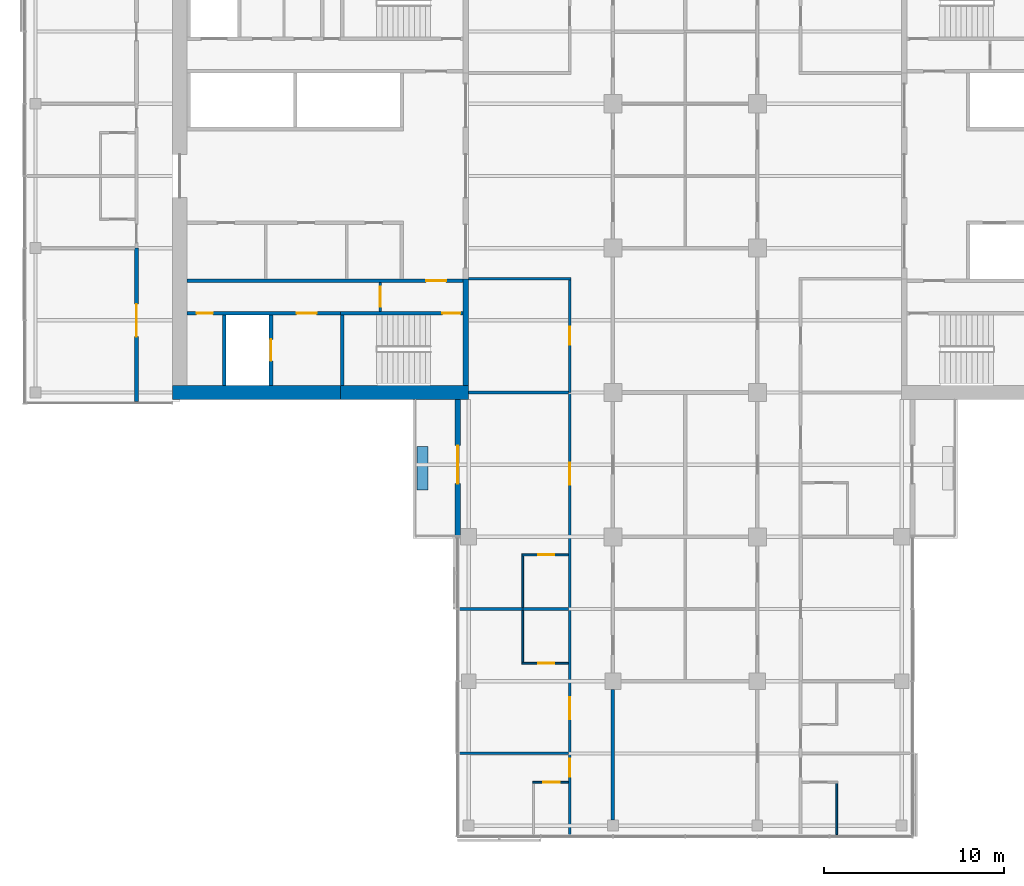
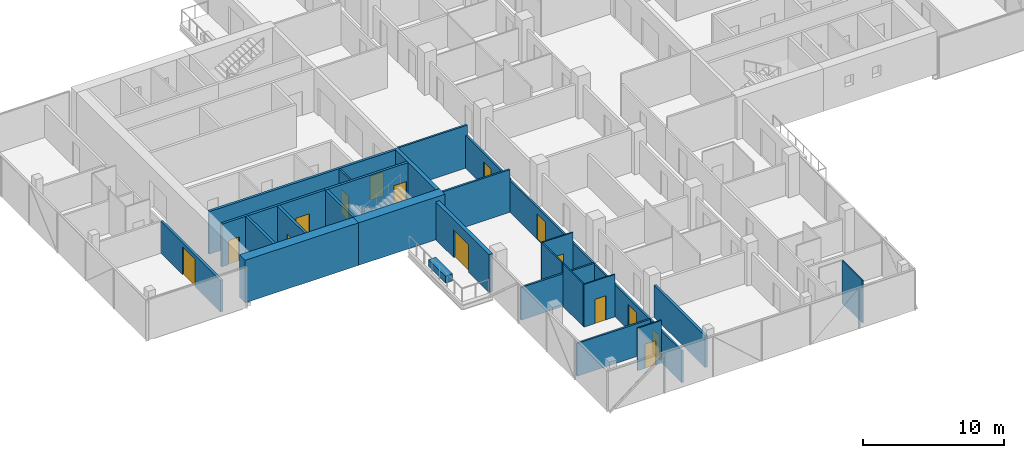
# One storey, part 15 of 27: 26 walls, 15 doors, 15 openings.
"""IFC4 building model written with IfcOpenShell, lengths in metres."""

import ifcopenshell
import ifcopenshell.guid

model = None  # the IFC model being written
_history = None  # IfcOwnerHistory: only IFC2X3 demands one
_inside = {}  # id of a spatial element -> (the spatial element, [elements in it])
_under = {}  # id of a project, library or spatial element -> (it, [spatial elements below it])
_declared = {}  # id of a project -> (the project, [libraries it declares])
_typed = {}  # id of a type object -> (the type object, [elements of that type])
_made_of = {}  # id of a material, layer set ... -> (it, [elements and type objects made of it])


def new_model(schema):
    """Start an empty IFC model of exactly this schema.

    Asked for "IFC4X3", IfcOpenShell would pick the latest addendum, in which some entities
    have other attributes; the version numbers below select the first issue.
    IFC2X3 requires an IfcOwnerHistory on every rooted entity: one is made here for all.
    """
    global model, _history
    if schema == "IFC4X3":
        model = ifcopenshell.file(schema_version=(4, 3, 0, 0))
    else:
        model = ifcopenshell.file(schema=schema)
    _inside.clear()
    _under.clear()
    _declared.clear()
    _typed.clear()
    _made_of.clear()
    _history = None
    if model.schema == "IFC2X3":
        org = make("IfcOrganization", Name="unknown")
        user = make(
            "IfcPersonAndOrganization",
            ThePerson=make("IfcPerson", FamilyName="unknown"),
            TheOrganization=org,
        )
        app = make(
            "IfcApplication",
            ApplicationDeveloper=org,
            Version="unknown",
            ApplicationFullName="unknown",
            ApplicationIdentifier="unknown",
        )
        _history = make(
            "IfcOwnerHistory",
            OwningUser=user,
            OwningApplication=app,
            ChangeAction="ADDED",
            CreationDate=0,
        )
    return model


def make(cls, **values):
    """One entity of the class cls with the attributes given. An attribute that is None is left unset."""
    return model.create_entity(
        cls, **{name: value for name, value in values.items() if value is not None}
    )


def rooted(cls, **values):
    """An entity with a GlobalId (a new one), such as an element, a storey or a relation."""
    return make(cls, GlobalId=ifcopenshell.guid.new(), OwnerHistory=_history, **values)


def si_unit(unit_type, name, prefix=None):
    """IfcSIUnit, for example si_unit("LENGTHUNIT", "METRE", prefix="MILLI")."""
    return make("IfcSIUnit", UnitType=unit_type, Prefix=prefix, Name=name)


def assignment(units):
    """IfcUnitAssignment: the units of a project."""
    return None if units is None else make("IfcUnitAssignment", Units=units)


def point(xyz):
    """IfcCartesianPoint."""
    return None if xyz is None else make("IfcCartesianPoint", Coordinates=xyz)


def direction(xyz):
    """IfcDirection."""
    return None if xyz is None else make("IfcDirection", DirectionRatios=xyz)


def frame(location, z_axis=None, x_axis=None):
    """IfcAxis2Placement3D, a coordinate frame: its origin and axes. An axis left out is left unset."""
    return make(
        "IfcAxis2Placement3D",
        Location=point(location),
        Axis=direction(z_axis),
        RefDirection=direction(x_axis),
    )


def frame_2d(location, x_axis=None):
    """IfcAxis2Placement2D, a coordinate frame in the plane: its origin and x axis."""
    return make(
        "IfcAxis2Placement2D", Location=point(location), RefDirection=direction(x_axis)
    )


def origin():
    """The frame at (0, 0, 0) with its axes left unset."""
    return frame((0.0, 0.0, 0.0))


def place(relative_to, where):
    """IfcLocalPlacement: puts the frame where relative to a parent placement (None: the world)."""
    return make(
        "IfcLocalPlacement", PlacementRelTo=relative_to, RelativePlacement=where
    )


def context(
    kind, dimensions, precision=None, world=None, true_north=None, identifier=None
):
    """IfcGeometricRepresentationContext, for example the 3D "Model" context."""
    return make(
        "IfcGeometricRepresentationContext",
        ContextIdentifier=identifier,
        ContextType=kind,
        CoordinateSpaceDimension=dimensions,
        Precision=precision,
        WorldCoordinateSystem=world,
        TrueNorth=true_north,
    )


def subcontext(parent, identifier, kind, view, scale=None):
    """IfcGeometricRepresentationSubContext, for example "Body" below "Model"."""
    return make(
        "IfcGeometricRepresentationSubContext",
        ContextIdentifier=identifier,
        ContextType=kind,
        ParentContext=parent,
        TargetScale=scale,
        TargetView=view,
    )


def project(units=None, contexts=None):
    """IfcProject with its units and contexts."""
    return rooted(
        "IfcProject",
        Name="project",
        RepresentationContexts=contexts,
        UnitsInContext=assignment(units),
    )


def spatial(cls, under=None, at=None, **own):
    """A site, building, storey or space (cls), placed at a placement, below another one or the project."""
    s = rooted(cls, ObjectPlacement=at, **own)
    if under is not None:
        _under.setdefault(under.id(), (under, []))[1].append(s)
    return s


def profile(cls, at=None, kind="AREA", **sizes):
    """A parametric profile (cls). Its sizes go by their IFC names, for example OverallWidth=200.0."""
    return make(cls, ProfileType=kind, Position=at, **sizes)


def rectangle(**sizes):
    """IfcRectangleProfileDef."""
    return profile("IfcRectangleProfileDef", **sizes)


def extrude(swept, where, along, depth):
    """IfcExtrudedAreaSolid: the profile swept, set in the frame where, extruded along a direction by depth."""
    return make(
        "IfcExtrudedAreaSolid",
        SweptArea=swept,
        Position=where,
        ExtrudedDirection=direction(along),
        Depth=depth,
    )


def shape(context_of_items, identifier, shape_type, items):
    """IfcShapeRepresentation: the items that make up one representation, for example the "Body"."""
    return make(
        "IfcShapeRepresentation",
        ContextOfItems=context_of_items,
        RepresentationIdentifier=identifier,
        RepresentationType=shape_type,
        Items=items,
    )


def material(Name=None, Category=None):
    """IfcMaterial."""
    return make("IfcMaterial", Name=Name, Category=Category)


def layer(
    of_material, thickness, ventilated=None, Name=None, Category=None, Priority=None
):
    """IfcMaterialLayer: one layer of a wall or slab, of a material (None: an air gap)."""
    return make(
        "IfcMaterialLayer",
        Material=of_material,
        LayerThickness=thickness,
        IsVentilated=ventilated,
        Name=Name,
        Category=Category,
        Priority=Priority,
    )


def layer_set(layers, Name=None):
    """IfcMaterialLayerSet."""
    return make("IfcMaterialLayerSet", MaterialLayers=layers, LayerSetName=Name)


def constituent(of_material, Name=None, Category=None, fraction=None):
    """IfcMaterialConstituent: one of the materials an element consists of."""
    return make(
        "IfcMaterialConstituent",
        Name=Name,
        Material=of_material,
        Fraction=fraction,
        Category=Category,
    )


def constituent_set(constituents=None, Name=None):
    """IfcMaterialConstituentSet."""
    return make(
        "IfcMaterialConstituentSet", Name=Name, MaterialConstituents=constituents
    )


def made_of(thing, what):
    """Note that an element or type object is made of a material, layer set ...; save() writes the relation."""
    if what is not None:
        _made_of.setdefault(what.id(), (what, []))[1].append(thing)
    return thing


def type_object(cls, material=None, **own):
    """A type object (cls), such as IfcWallType, which elements share."""
    return made_of(rooted(cls, **own), material)


def element(
    cls,
    number,
    at=None,
    inside=None,
    cuts=None,
    type_object=None,
    material=None,
    context=None,
    identifier="Body",
    shape_type=None,
    held_by="IfcProductDefinitionShape",
    body=None,
    shapes=None,
    **own,
):
    """One element of the class cls, such as IfcWall. Its Tag is "e" and its number.

    at: its placement. inside: the storey or other place that contains it. cuts: it is an
    opening in that element (IfcRelVoidsElement). A single representation is given by context,
    identifier, shape_type and body (its items); several are given by shapes. held_by: the class
    of the entity that holds the representations. save() writes the other relations.
    """
    e = rooted(cls, Tag="e%d" % number, ObjectPlacement=at, **own)
    if body is not None:
        shapes = [shape(context, identifier, shape_type, body)]
    if shapes is not None:
        e.Representation = make(held_by, Representations=shapes)
    if inside is not None:
        _inside.setdefault(inside.id(), (inside, []))[1].append(e)
    if cuts is not None:
        rooted(
            "IfcRelVoidsElement", RelatingBuildingElement=cuts, RelatedOpeningElement=e
        )
    if type_object is not None:
        _typed.setdefault(type_object.id(), (type_object, []))[1].append(e)
    return made_of(e, material)


def fill(opening, filler):
    """IfcRelFillsElement: the door or window that sits in an opening."""
    return rooted(
        "IfcRelFillsElement",
        RelatingOpeningElement=opening,
        RelatedBuildingElement=filler,
    )


def aggregate(whole, parts):
    """IfcRelAggregates: a whole, such as a stair, and the parts it consists of."""
    return rooted("IfcRelAggregates", RelatingObject=whole, RelatedObjects=parts)


def save(model, path):
    """Write the relations noted so far, then the file.

    IfcRelAggregates (storeys below a building ...), IfcRelContainedInSpatialStructure (elements
    in a storey), IfcRelDefinesByType, IfcRelAssociatesMaterial and IfcRelDeclares: one each for
    every whole, place, type object, material and project.
    """
    for whole, parts in _under.values():
        aggregate(whole, parts)
    for where, things in _inside.values():
        rooted(
            "IfcRelContainedInSpatialStructure",
            RelatedElements=things,
            RelatingStructure=where,
        )
    for kind, things in _typed.values():
        rooted("IfcRelDefinesByType", RelatedObjects=things, RelatingType=kind)
    for what, things in _made_of.values():
        rooted("IfcRelAssociatesMaterial", RelatedObjects=things, RelatingMaterial=what)
    for by, libraries in _declared.values():
        rooted("IfcRelDeclares", RelatingContext=by, RelatedDefinitions=libraries)
    model.write(path)


model = new_model("IFC4")

# Units and contexts
model_context = context("Model", 3, precision=1e-05, world=origin(), true_north=direction((0.0, 1.0)))
body_context = subcontext(model_context, "Body", "Model", "MODEL_VIEW")
ifc_project = project(units=[si_unit("LENGTHUNIT", "METRE"), si_unit("AREAUNIT", "SQUARE_METRE"), si_unit("VOLUMEUNIT", "CUBIC_METRE"), si_unit("PLANEANGLEUNIT", "RADIAN"), si_unit("MASSUNIT", "GRAM", prefix="KILO")], contexts=[model_context])

# Site, building, storey
site_placement = place(None, origin())
site = spatial("IfcSite", under=ifc_project, at=site_placement, CompositionType="ELEMENT")
building_placement = place(site_placement, origin())
building = spatial("IfcBuilding", under=site, at=building_placement, Name="Crosswind Convention Tower", CompositionType="ELEMENT")
storey_placement = place(building_placement, frame((0.0, 0.0, 101.60009765625)))
storey = spatial("IfcBuildingStorey", under=building, at=storey_placement, Name="L20", CompositionType="ELEMENT", Elevation=101.60009765625)

# Wall
ifc_material_1 = material(Name="Plasterboard partition", Category="gypsum")
ifc_layer_1 = layer(ifc_material_1, 0.14990234375)
ifc_layer_set_1 = layer_set([ifc_layer_1], Name="CORRIDOR WALL 150")
wall_type_1 = type_object("IfcWallType", Name="CORRIDOR WALL 150", PredefinedType="PARTITIONING", material=ifc_layer_set_1)
wall_1_placement = place(storey_placement, frame((113.0, 94.300048828125, 0.0), z_axis=(0.0, 0.0, 1.0), x_axis=(1.0, 0.0, 0.0)))
element("IfcWall", 1, at=wall_1_placement, inside=storey, type_object=wall_type_1, Name="Corridor Wall 18", PredefinedType="PARTITIONING", context=body_context, shape_type="SweptSolid", body=[
    extrude(rectangle(XDim=5.675048828125, YDim=0.14990234375, at=frame_2d((2.83740234375, 0.0))), origin(), (0.0, 0.0, 1.0), 3.699951171875),
])

# Wall, opening, door
wall_2_placement = place(storey_placement, frame((118.60009765625, 88.0, 0.0), z_axis=(0.0, 0.0, 1.0), x_axis=(0.0, 1.0, 0.0)))
wall_2 = element("IfcWall", 2, at=wall_2_placement, inside=storey, type_object=wall_type_1, Name="Corridor Wall 59", PredefinedType="PARTITIONING", context=body_context, shape_type="SweptSolid", body=[
    extrude(rectangle(XDim=6.22509765625, YDim=0.14990234375, at=frame_2d((3.112548828125, 0.0))), origin(), (0.0, 0.0, 1.0), 2.8427734375),
])
opening_1_placement = place(wall_2_placement, frame((2.64990234375, 0.0, 0.0)))
opening_1 = element("IfcOpeningElement", 3, at=opening_1_placement, cuts=wall_2, Name="Opening 20.004", PredefinedType="OPENING", context=body_context, shape_type="SweptSolid", body=[
    extrude(rectangle(XDim=1.0, YDim=2.10009765625, at=frame_2d((0.5, 1.050048828125))), frame((0.0, 0.0849609375, 0.0), z_axis=(0.0, -1.0, 0.0), x_axis=(1.0, 0.0, 0.0)), (0.0, 0.0, 1.0), 0.169921875),
])
ifc_material_2 = material(Name="Timber fire door", Category="wood")
door_type_1 = type_object("IfcDoorType", Name="SERVICE ROOM DOOR 1000X2100", OperationType="NOTDEFINED", PredefinedType="DOOR", material=ifc_material_2)
door_1_placement = place(opening_1_placement, origin())
door_1 = element("IfcDoor", 4, at=door_1_placement, inside=storey, type_object=door_type_1, Name="Door 20.004", ObjectType="D3", OperationType="SINGLE_SWING_RIGHT", OverallHeight=2.10009765625, OverallWidth=1.0, PredefinedType="DOOR", context=body_context, shape_type="SweptSolid", body=[
    extrude(rectangle(XDim=1.0, YDim=2.10009765625, at=frame_2d((0.5, 1.050048828125))), frame((0.0, 0.02490234375, 0.0), z_axis=(0.0, -1.0, 0.0), x_axis=(1.0, 0.0, 0.0)), (0.0, 0.0, 1.0), 0.050048828125),
])
fill(opening_1, door_1)

# Wall
ifc_material_3 = material(Name="Concrete C50/60", Category="concrete")
ifc_layer_2 = layer(ifc_material_3, 0.300048828125)
ifc_layer_set_2 = layer_set([ifc_layer_2], Name="Concrete C50/60")
wall_type_2 = type_object("IfcWallType", Name="Concrete inner core wall 300", PredefinedType="SHEAR", material=ifc_layer_set_2)
wall_3_placement = place(storey_placement, frame((112.85009765625, 94.300048828125, 0.0), z_axis=(0.0, 0.0, 1.0), x_axis=(0.0, -1.0, 0.0)))
element("IfcWall", 5, at=wall_3_placement, inside=storey, type_object=wall_type_2, Name="Wall EP W L20", PredefinedType="SHEAR", context=body_context, shape_type="SweptSolid", body=[
    extrude(rectangle(XDim=5.900146484375, YDim=0.300048828125, at=frame_2d((2.9501953125, 0.0))), origin(), (0.0, 0.0, 1.0), 3.699951171875),
])

# Wall, opening, door
ifc_layer_3 = layer(ifc_material_3, 0.199951171875)
ifc_layer_set_3 = layer_set([ifc_layer_3], Name="Concrete C50/60")
wall_type_3 = type_object("IfcWallType", Name="Concrete shaft and stair wall 200", PredefinedType="SHEAR", material=ifc_layer_set_3)
wall_4_placement = place(storey_placement, frame((112.699951171875, 94.199951171875, 0.0), z_axis=(0.0, 0.0, 1.0), x_axis=(-1.0, 0.0, 0.0)))
wall_4 = element("IfcWall", 6, at=wall_4_placement, inside=storey, type_object=wall_type_3, Name="Wall HP W L20", PredefinedType="SHEAR", context=body_context, shape_type="SweptSolid", body=[
    extrude(rectangle(XDim=15.300048828125, YDim=0.199951171875, at=frame_2d((7.64990234375, 0.0))), origin(), (0.0, 0.0, 1.0), 3.699951171875),
])
opening_2_placement = place(wall_4_placement, frame((0.949951171875, 0.0, 0.0)))
opening_2 = element("IfcOpeningElement", 7, at=opening_2_placement, cuts=wall_4, Name="Opening D104", PredefinedType="OPENING", context=body_context, shape_type="SweptSolid", body=[
    extrude(rectangle(XDim=1.10009765625, YDim=2.10009765625, at=frame_2d((0.550048828125, 1.050048828125))), frame((0.0, 0.10986328125, 0.0), z_axis=(0.0, -1.0, 0.0), x_axis=(1.0, 0.0, 0.0)), (0.0, 0.0, 1.0), 0.219970703125),
])
ifc_material_4 = material(Name="Steel fire door", Category="steel")
door_type_2 = type_object("IfcDoorType", Name="Fire-rated single door 1100x2100", OperationType="NOTDEFINED", PredefinedType="DOOR", material=ifc_material_4)
door_2_placement = place(opening_2_placement, origin())
door_2 = element("IfcDoor", 8, at=door_2_placement, inside=storey, type_object=door_type_2, Name="Corridor door L20", ObjectType="D104", OperationType="SINGLE_SWING_LEFT", OverallHeight=2.10009765625, OverallWidth=1.10009765625, PredefinedType="DOOR", context=body_context, shape_type="SweptSolid", body=[
    extrude(rectangle(XDim=1.10009765625, YDim=2.10009765625, at=frame_2d((0.550048828125, 1.050048828125))), frame((0.0, 0.02490234375, 0.0), z_axis=(0.0, -1.0, 0.0), x_axis=(1.0, 0.0, 0.0)), (0.0, 0.0, 1.0), 0.050048828125),
])
fill(opening_2, door_2)

# Wall
wall_5_placement = place(storey_placement, frame((106.0, 92.300048828125, 0.0), z_axis=(0.0, 0.0, 1.0), x_axis=(0.0, -1.0, 0.0)))
element("IfcWall", 9, at=wall_5_placement, inside=storey, type_object=wall_type_3, Name="Wall PSE W L20", PredefinedType="SHEAR", context=body_context, shape_type="SweptSolid", body=[
    extrude(rectangle(XDim=3.900146484375, YDim=0.199951171875, at=frame_2d((1.9501953125, 0.0))), origin(), (0.0, 0.0, 1.0), 3.699951171875),
])

# Wall, opening, door
wall_6_placement = place(storey_placement, frame((102.050048828125, 92.300048828125, 0.0), z_axis=(0.0, 0.0, 1.0), x_axis=(0.0, -1.0, 0.0)))
wall_6 = element("IfcWall", 10, at=wall_6_placement, inside=storey, type_object=wall_type_3, Name="Wall PFLW W L20", PredefinedType="SHEAR", context=body_context, shape_type="SweptSolid", body=[
    extrude(rectangle(XDim=3.900146484375, YDim=0.199951171875, at=frame_2d((1.9501953125, 0.0))), origin(), (0.0, 0.0, 1.0), 3.699951171875),
])
opening_3_placement = place(wall_6_placement, frame((1.35009765625, 0.0, 0.0)))
opening_3 = element("IfcOpeningElement", 11, at=opening_3_placement, cuts=wall_6, Name="Opening LD1", PredefinedType="OPENING", context=body_context, shape_type="SweptSolid", body=[
    extrude(rectangle(XDim=1.199951171875, YDim=2.10009765625, at=frame_2d((0.60009765625, 1.050048828125))), frame((0.0, 0.10986328125, 0.0), z_axis=(0.0, -1.0, 0.0), x_axis=(1.0, 0.0, 0.0)), (0.0, 0.0, 1.0), 0.219970703125),
])
ifc_material_5 = material(Name="Stainless steel", Category="steel")
door_type_3 = type_object("IfcDoorType", Name="Lift landing door 1200x2100", OperationType="DOUBLE_DOOR_SLIDING", PredefinedType="DOOR", material=ifc_material_5)
door_3_placement = place(opening_3_placement, origin())
door_3 = element("IfcDoor", 12, at=door_3_placement, inside=storey, type_object=door_type_3, Name="Landing door FF2 L20", ObjectType="LD1", OperationType="DOUBLE_DOOR_SLIDING", OverallHeight=2.10009765625, OverallWidth=1.199951171875, PredefinedType="DOOR", context=body_context, shape_type="SweptSolid", body=[
    extrude(rectangle(XDim=1.199951171875, YDim=2.10009765625, at=frame_2d((0.60009765625, 1.050048828125))), frame((0.0, 0.02490234375, 0.0), z_axis=(0.0, -1.0, 0.0), x_axis=(1.0, 0.0, 0.0)), (0.0, 0.0, 1.0), 0.050048828125),
])
fill(opening_3, door_3)

# Wall
wall_7_placement = place(storey_placement, frame((99.449951171875, 92.300048828125, 0.0), z_axis=(0.0, 0.0, 1.0), x_axis=(0.0, -1.0, 0.0)))
element("IfcWall", 13, at=wall_7_placement, inside=storey, type_object=wall_type_3, Name="Wall PFSE W L20", PredefinedType="SHEAR", context=body_context, shape_type="SweptSolid", body=[
    extrude(rectangle(XDim=3.900146484375, YDim=0.199951171875, at=frame_2d((1.9501953125, 0.0))), origin(), (0.0, 0.0, 1.0), 3.699951171875),
])

# Wall, opening, door
wall_8_placement = place(storey_placement, frame((112.699951171875, 92.39990234375, 0.0), z_axis=(0.0, 0.0, 1.0), x_axis=(-1.0, 0.0, 0.0)))
wall_8 = element("IfcWall", 14, at=wall_8_placement, inside=storey, type_object=wall_type_3, Name="Wall PCW W L20", PredefinedType="SHEAR", context=body_context, shape_type="SweptSolid", body=[
    extrude(rectangle(XDim=6.800048828125, YDim=0.199951171875, at=frame_2d((3.39990234375, 0.0))), origin(), (0.0, 0.0, 1.0), 3.699951171875),
])
opening_4_placement = place(wall_8_placement, frame((0.14990234375, 0.0, 0.0)))
opening_4 = element("IfcOpeningElement", 15, at=opening_4_placement, cuts=wall_8, Name="Opening D103", PredefinedType="OPENING", context=body_context, shape_type="SweptSolid", body=[
    extrude(rectangle(XDim=1.0, YDim=2.10009765625, at=frame_2d((0.5, 1.050048828125))), frame((0.0, 0.10986328125, 0.0), z_axis=(0.0, -1.0, 0.0), x_axis=(1.0, 0.0, 0.0)), (0.0, 0.0, 1.0), 0.219970703125),
])
door_type_4 = type_object("IfcDoorType", Name="Fire-rated single door 1000x2100", OperationType="NOTDEFINED", PredefinedType="DOOR", material=ifc_material_4)
door_4_placement = place(opening_4_placement, origin())
door_4 = element("IfcDoor", 16, at=door_4_placement, inside=storey, type_object=door_type_4, Name="Stair ST3 door L20", ObjectType="D103", OperationType="SINGLE_SWING_LEFT", OverallHeight=2.10009765625, OverallWidth=1.0, PredefinedType="DOOR", context=body_context, shape_type="SweptSolid", body=[
    extrude(rectangle(XDim=1.0, YDim=2.10009765625, at=frame_2d((0.5, 1.050048828125))), frame((0.0, 0.02490234375, 0.0), z_axis=(0.0, -1.0, 0.0), x_axis=(1.0, 0.0, 0.0)), (0.0, 0.0, 1.0), 0.050048828125),
])
fill(opening_4, door_4)

# Wall, openings, doors
wall_9_placement = place(storey_placement, frame((105.89990234375, 92.39990234375, 0.0), z_axis=(0.0, 0.0, 1.0), x_axis=(-1.0, 0.0, 0.0)))
wall_9 = element("IfcWall", 17, at=wall_9_placement, inside=storey, type_object=wall_type_3, Name="Wall PCX W L20", PredefinedType="SHEAR", context=body_context, shape_type="SweptSolid", body=[
    extrude(rectangle(XDim=8.5, YDim=0.199951171875, at=frame_2d((4.25, 0.0))), origin(), (0.0, 0.0, 1.0), 3.699951171875),
])
opening_5_placement = place(wall_9_placement, frame((1.324951171875, 0.0, 0.0)))
opening_5 = element("IfcOpeningElement", 18, at=opening_5_placement, cuts=wall_9, Name="Opening D104", PredefinedType="OPENING", context=body_context, shape_type="SweptSolid", body=[
    extrude(rectangle(XDim=1.10009765625, YDim=2.10009765625, at=frame_2d((0.550048828125, 1.050048828125))), frame((0.0, 0.10986328125, 0.0), z_axis=(0.0, -1.0, 0.0), x_axis=(1.0, 0.0, 0.0)), (0.0, 0.0, 1.0), 0.219970703125),
])
opening_6_placement = place(wall_9_placement, frame((7.074951171875, 0.0, 0.0)))
opening_6 = element("IfcOpeningElement", 19, at=opening_6_placement, cuts=wall_9, Name="Opening D106", PredefinedType="OPENING", context=body_context, shape_type="SweptSolid", body=[
    extrude(rectangle(XDim=0.89990234375, YDim=2.10009765625, at=frame_2d((0.449951171875, 1.050048828125))), frame((0.0, 0.10986328125, 0.0), z_axis=(0.0, -1.0, 0.0), x_axis=(1.0, 0.0, 0.0)), (0.0, 0.0, 1.0), 0.219970703125),
])
door_5_placement = place(opening_5_placement, origin())
door_5 = element("IfcDoor", 20, at=door_5_placement, inside=storey, type_object=door_type_2, Name="Fire-fighting lobby FF2 door L20", ObjectType="D104", OperationType="SINGLE_SWING_RIGHT", OverallHeight=2.10009765625, OverallWidth=1.10009765625, PredefinedType="DOOR", context=body_context, shape_type="SweptSolid", body=[
    extrude(rectangle(XDim=1.10009765625, YDim=2.10009765625, at=frame_2d((0.550048828125, 1.050048828125))), frame((0.0, 0.02490234375, 0.0), z_axis=(0.0, -1.0, 0.0), x_axis=(1.0, 0.0, 0.0)), (0.0, 0.0, 1.0), 0.050048828125),
])
fill(opening_5, door_5)
ifc_material_6 = material(Name="Timber door", Category="wood")
door_type_5 = type_object("IfcDoorType", Name="Single leaf door 900x2100", OperationType="NOTDEFINED", PredefinedType="DOOR", material=ifc_material_6)
door_6_placement = place(opening_6_placement, origin())
door_6 = element("IfcDoor", 21, at=door_6_placement, inside=storey, type_object=door_type_5, Name="Door to cleaners' store L20", ObjectType="D106", OperationType="SINGLE_SWING_RIGHT", OverallHeight=2.10009765625, OverallWidth=0.89990234375, PredefinedType="DOOR", context=body_context, shape_type="SweptSolid", body=[
    extrude(rectangle(XDim=0.89990234375, YDim=2.10009765625, at=frame_2d((0.449951171875, 1.050048828125))), frame((0.0, 0.02490234375, 0.0), z_axis=(0.0, -1.0, 0.0), x_axis=(1.0, 0.0, 0.0)), (0.0, 0.0, 1.0), 0.050048828125),
])
fill(opening_6, door_6)

# Wall, opening, door
ifc_material_7 = material(Name="Gypsum plasterboard partition", Category="gypsum")
ifc_layer_4 = layer(ifc_material_7, 0.125)
ifc_layer_set_4 = layer_set([ifc_layer_4], Name="Drywall partition wall 125")
wall_type_4 = type_object("IfcWallType", Name="Drywall partition wall 125", PredefinedType="PARTITIONING", material=ifc_layer_set_4)
wall_10_placement = place(storey_placement, frame((108.10009765625, 94.10009765625, 0.0), z_axis=(0.0, 0.0, 1.0), x_axis=(0.0, -1.0, 0.0)))
wall_10 = element("IfcWall", 22, at=wall_10_placement, inside=storey, type_object=wall_type_4, Name="Wall PXC1 W L20", PredefinedType="PARTITIONING", context=body_context, shape_type="SweptSolid", body=[
    extrude(rectangle(XDim=1.60009765625, YDim=0.125, at=frame_2d((0.800048828125, 0.0))), origin(), (0.0, 0.0, 1.0), 3.699951171875),
])
opening_7_placement = place(wall_10_placement, frame((0.25, 0.0, 0.0)))
opening_7 = element("IfcOpeningElement", 23, at=opening_7_placement, cuts=wall_10, Name="Opening D104", PredefinedType="OPENING", context=body_context, shape_type="SweptSolid", body=[
    extrude(rectangle(XDim=1.10009765625, YDim=2.10009765625, at=frame_2d((0.550048828125, 1.050048828125))), frame((0.0, 0.072509765625, 0.0), z_axis=(0.0, -1.0, 0.0), x_axis=(1.0, 0.0, 0.0)), (0.0, 0.0, 1.0), 0.14501953125),
])
door_7_placement = place(opening_7_placement, origin())
door_7 = element("IfcDoor", 24, at=door_7_placement, inside=storey, type_object=door_type_2, Name="Corridor smoke door L20", ObjectType="D104", OperationType="SINGLE_SWING_RIGHT", OverallHeight=2.10009765625, OverallWidth=1.10009765625, PredefinedType="DOOR", context=body_context, shape_type="SweptSolid", body=[
    extrude(rectangle(XDim=1.10009765625, YDim=2.10009765625, at=frame_2d((0.550048828125, 1.050048828125))), frame((0.0, 0.02490234375, 0.0), z_axis=(0.0, -1.0, 0.0), x_axis=(1.0, 0.0, 0.0)), (0.0, 0.0, 1.0), 0.050048828125),
])
fill(opening_7, door_7)

# Walls
ifc_material_8 = material(Name="Acoustic plasterboard partition", Category="gypsum")
ifc_layer_5 = layer(ifc_material_8, 0.14990234375)
ifc_layer_set_5 = layer_set([ifc_layer_5], Name="GUEST ROOM WALL 150")
wall_type_5 = type_object("IfcWallType", Name="GUEST ROOM WALL 150", PredefinedType="PARTITIONING", material=ifc_layer_set_5)
for number, where, z_axis, x_axis, name in (
    (25, (112.5, 68.0, 0.0), (0.0, 0.0, 1.0), (1.0, 0.0, 0.0), "Guest Room Wall 3"),
    (26, (112.5, 76.0, 0.0), (0.0, 0.0, 1.0), (1.0, 0.0, 0.0), "Guest Room Wall 9"),
):
    element("IfcWall", number, at=place(storey_placement, frame(where, z_axis=z_axis, x_axis=x_axis)), inside=storey, type_object=wall_type_5, Name=name, PredefinedType="PARTITIONING", context=body_context, shape_type="SweptSolid", body=[
        extrude(rectangle(XDim=6.02490234375, YDim=0.14990234375, at=frame_2d((3.012451171875, 0.0))), origin(), (0.0, 0.0, 1.0), 2.8427734375),
    ])
wall_11_placement = place(storey_placement, frame((113.0, 88.0, 0.0), z_axis=(0.0, 0.0, 1.0), x_axis=(1.0, 0.0, 0.0)))
element("IfcWall", 27, at=wall_11_placement, inside=storey, type_object=wall_type_5, Name="Guest Room Wall 15", PredefinedType="PARTITIONING", context=body_context, shape_type="SweptSolid", body=[
    extrude(rectangle(XDim=5.52490234375, YDim=0.14990234375, at=frame_2d((2.762451171875, 0.0))), origin(), (0.0, 0.0, 1.0), 3.699951171875),
])

# Wall, openings, doors
wall_12_placement = place(storey_placement, frame((118.60009765625, 63.5, 0.0), z_axis=(0.0, 0.0, 1.0), x_axis=(0.0, 1.0, 0.0)))
wall_12 = element("IfcWall", 28, at=wall_12_placement, inside=storey, type_object=wall_type_5, Name="Guest Room Wall 58", PredefinedType="PARTITIONING", context=body_context, shape_type="SweptSolid", body=[
    extrude(rectangle(XDim=24.5, YDim=0.14990234375, at=frame_2d((12.25, 0.0))), origin(), (0.0, 0.0, 1.0), 2.760498046875),
])
opening_8_placement = place(wall_12_placement, frame((19.39990234375, 0.0, 0.0)))
opening_8 = element("IfcOpeningElement", 29, at=opening_8_placement, cuts=wall_12, Name="Opening 20.021", PredefinedType="OPENING", context=body_context, shape_type="SweptSolid", body=[
    extrude(rectangle(XDim=1.199951171875, YDim=2.199951171875, at=frame_2d((0.60009765625, 1.10009765625))), frame((0.0, 0.0849609375, 0.0), z_axis=(0.0, -1.0, 0.0), x_axis=(1.0, 0.0, 0.0)), (0.0, 0.0, 1.0), 0.169921875),
])
opening_9_placement = place(wall_12_placement, frame((6.39990234375, 0.0, 0.0)))
opening_9 = element("IfcOpeningElement", 30, at=opening_9_placement, cuts=wall_12, Name="Opening 20.023", PredefinedType="OPENING", context=body_context, shape_type="SweptSolid", body=[
    extrude(rectangle(XDim=1.199951171875, YDim=2.199951171875, at=frame_2d((0.60009765625, 1.10009765625))), frame((0.0, 0.0849609375, 0.0), z_axis=(0.0, -1.0, 0.0), x_axis=(1.0, 0.0, 0.0)), (0.0, 0.0, 1.0), 0.169921875),
])
opening_10_placement = place(wall_12_placement, frame((3.199951171875, 0.0, 0.0)))
opening_10 = element("IfcOpeningElement", 31, at=opening_10_placement, cuts=wall_12, Name="Opening 20.025", PredefinedType="OPENING", context=body_context, shape_type="SweptSolid", body=[
    extrude(rectangle(XDim=1.0, YDim=2.10009765625, at=frame_2d((0.5, 1.050048828125))), frame((0.0, 0.0849609375, 0.0), z_axis=(0.0, -1.0, 0.0), x_axis=(1.0, 0.0, 0.0)), (0.0, 0.0, 1.0), 0.169921875),
])
door_type_6 = type_object("IfcDoorType", Name="GUEST ROOM DOOR 1000X2100", OperationType="NOTDEFINED", PredefinedType="DOOR", material=ifc_material_2)
door_8_placement = place(opening_10_placement, origin())
door_8 = element("IfcDoor", 32, at=door_8_placement, inside=storey, type_object=door_type_6, Name="Door 20.025", ObjectType="D1", OperationType="SINGLE_SWING_RIGHT", OverallHeight=2.10009765625, OverallWidth=1.0, PredefinedType="DOOR", context=body_context, shape_type="SweptSolid", body=[
    extrude(rectangle(XDim=1.0, YDim=2.10009765625, at=frame_2d((0.5, 1.050048828125))), frame((0.0, 0.02490234375, 0.0), z_axis=(0.0, -1.0, 0.0), x_axis=(1.0, 0.0, 0.0)), (0.0, 0.0, 1.0), 0.050048828125),
])
fill(opening_10, door_8)
door_type_7 = type_object("IfcDoorType", Name="SUITE DOOR 1200X2200", OperationType="DOUBLE_DOOR_SINGLE_SWING", PredefinedType="DOOR", material=ifc_material_2)
door_9_placement = place(opening_8_placement, origin())
door_9 = element("IfcDoor", 33, at=door_9_placement, inside=storey, type_object=door_type_7, Name="Door 20.021", ObjectType="D14", OperationType="DOUBLE_DOOR_SINGLE_SWING", OverallHeight=2.199951171875, OverallWidth=1.199951171875, PredefinedType="DOOR", context=body_context, shape_type="SweptSolid", body=[
    extrude(rectangle(XDim=1.199951171875, YDim=2.199951171875, at=frame_2d((0.60009765625, 1.10009765625))), frame((0.0, 0.02490234375, 0.0), z_axis=(0.0, -1.0, 0.0), x_axis=(1.0, 0.0, 0.0)), (0.0, 0.0, 1.0), 0.050048828125),
])
fill(opening_8, door_9)
door_10_placement = place(opening_9_placement, origin())
door_10 = element("IfcDoor", 34, at=door_10_placement, inside=storey, type_object=door_type_7, Name="Door 20.023", ObjectType="D14", OperationType="DOUBLE_DOOR_SINGLE_SWING", OverallHeight=2.199951171875, OverallWidth=1.199951171875, PredefinedType="DOOR", context=body_context, shape_type="SweptSolid", body=[
    extrude(rectangle(XDim=1.199951171875, YDim=2.199951171875, at=frame_2d((0.60009765625, 1.10009765625))), frame((0.0, 0.02490234375, 0.0), z_axis=(0.0, -1.0, 0.0), x_axis=(1.0, 0.0, 0.0)), (0.0, 0.0, 1.0), 0.050048828125),
])
fill(opening_9, door_10)

# Wall, opening, door
ifc_material_9 = material(Name="Double plasterboard partition", Category="gypsum")
ifc_layer_6 = layer(ifc_material_9, 0.199951171875)
ifc_layer_set_6 = layer_set([ifc_layer_6], Name="HALL WALL 200")
wall_type_6 = type_object("IfcWallType", Name="HALL WALL 200", PredefinedType="PARTITIONING", material=ifc_layer_set_6)
wall_13_placement = place(storey_placement, frame((94.60009765625, 87.5, 0.0), z_axis=(0.0, 0.0, 1.0), x_axis=(0.0, 1.0, 0.0)))
wall_13 = element("IfcWall", 35, at=wall_13_placement, inside=storey, type_object=wall_type_6, Name="Hall Wall 51", PredefinedType="PARTITIONING", context=body_context, shape_type="SweptSolid", body=[
    extrude(rectangle(XDim=8.5, YDim=0.199951171875, at=frame_2d((4.25, 0.0))), origin(), (0.0, 0.0, 1.0), 2.75537109375),
])
opening_11_placement = place(wall_13_placement, frame((3.60009765625, 0.0, 0.0)))
opening_11 = element("IfcOpeningElement", 36, at=opening_11_placement, cuts=wall_13, Name="Opening 20.031", PredefinedType="OPENING", context=body_context, shape_type="SweptSolid", body=[
    extrude(rectangle(XDim=1.800048828125, YDim=2.39990234375, at=frame_2d((0.89990234375, 1.199951171875))), frame((0.0, 0.10986328125, 0.0), z_axis=(0.0, -1.0, 0.0), x_axis=(1.0, 0.0, 0.0)), (0.0, 0.0, 1.0), 0.219970703125),
])
door_type_8 = type_object("IfcDoorType", Name="HALL DOUBLE DOOR 1800X2400", OperationType="DOUBLE_DOOR_SINGLE_SWING", PredefinedType="DOOR", material=ifc_material_2)
door_11_placement = place(opening_11_placement, frame((1.800048828125, 0.0, 0.0), z_axis=(0.0, 0.0, 1.0), x_axis=(-1.0, 0.0, 0.0)))
door_11 = element("IfcDoor", 37, at=door_11_placement, inside=storey, type_object=door_type_8, Name="Door 20.031", ObjectType="D5", OperationType="DOUBLE_DOOR_SINGLE_SWING", OverallHeight=2.39990234375, OverallWidth=1.800048828125, PredefinedType="DOOR", context=body_context, shape_type="SweptSolid", body=[
    extrude(rectangle(XDim=1.800048828125, YDim=2.39990234375, at=frame_2d((0.89990234375, 1.199951171875))), frame((0.0, 0.02490234375, 0.0), z_axis=(0.0, -1.0, 0.0), x_axis=(1.0, 0.0, 0.0)), (0.0, 0.0, 1.0), 0.050048828125),
])
fill(opening_11, door_11)

# Walls
wall_14_placement = place(storey_placement, frame((121.0, 64.300048828125, 0.0), z_axis=(0.0, 0.0, 1.0), x_axis=(0.0, 1.0, 0.0)))
element("IfcWall", 38, at=wall_14_placement, inside=storey, type_object=wall_type_6, Name="Hall Wall 63", PredefinedType="PARTITIONING", context=body_context, shape_type="SweptSolid", body=[
    extrude(rectangle(XDim=7.25, YDim=0.199951171875, at=frame_2d((3.625, 0.0))), origin(), (0.0, 0.0, 1.0), 2.760498046875),
])
ifc_material_10 = material(Name="Concrete C30/37", Category="concrete")
ifc_layer_7 = layer(ifc_material_10, 0.60009765625)
ifc_layer_set_7 = layer_set([ifc_layer_7], Name="Concrete C30/37")
wall_type_7 = type_object("IfcWallType", Name="PLANTER BOX WALL 600", PredefinedType="SOLIDWALL", material=ifc_layer_set_7)
wall_15_placement = place(storey_placement, frame((110.449951171875, 85.0, 0.0), z_axis=(0.0, 0.0, 1.0), x_axis=(0.0, -1.0, 0.0)))
element("IfcWall", 39, at=wall_15_placement, inside=storey, type_object=wall_type_7, Name="PLANTER L20 S-W.1-1", PredefinedType="SOLIDWALL", context=body_context, shape_type="SweptSolid", body=[
    extrude(rectangle(XDim=2.39990234375, YDim=0.60009765625, at=frame_2d((1.199951171875, 0.0))), origin(), (0.0, 0.0, 1.0), 0.599853515625),
])

# Wall, opening, door
ifc_material_11 = material(Name="Terracotta rainscreen", Category="ceramic")
ifc_layer_8 = layer(ifc_material_11, 0.02001953125)
ifc_material_12 = material(Name="Mineral wool insulation", Category="insulation")
ifc_layer_9 = layer(ifc_material_12, 0.10009765625)
ifc_material_13 = material(Name="Concrete blockwork", Category="masonry")
ifc_layer_10 = layer(ifc_material_13, 0.179931640625)
ifc_layer_set_8 = layer_set([ifc_layer_8, ifc_layer_9, ifc_layer_10], Name="TERRACOTTA INFILL WALL 300")
wall_type_8 = type_object("IfcWallType", Name="TERRACOTTA INFILL WALL 300", PredefinedType="SOLIDWALL", material=ifc_layer_set_8)
wall_16_placement = place(storey_placement, frame((112.39990234375, 87.60009765625, 0.0), z_axis=(0.0, 0.0, 1.0), x_axis=(0.0, -1.0, 0.0)))
wall_16 = element("IfcWall", 40, at=wall_16_placement, inside=storey, type_object=wall_type_8, Name="Notch front wall L20 S-W.1-1", PredefinedType="SOLIDWALL", context=body_context, shape_type="SweptSolid", body=[
    extrude(rectangle(XDim=7.567626953125, YDim=0.300048828125, at=frame_2d((3.78369140625, 0.0))), origin(), (0.0, 0.0, 1.0), 3.2998046875),
])
opening_12_placement = place(wall_16_placement, frame((2.550048828125, 0.0, 0.0)))
opening_12 = element("IfcOpeningElement", 41, at=opening_12_placement, cuts=wall_16, Name="Opening D141", PredefinedType="OPENING", context=body_context, shape_type="SweptSolid", body=[
    extrude(rectangle(XDim=2.10009765625, YDim=2.39990234375, at=frame_2d((1.050048828125, 1.199951171875))), frame((0.0, 0.159912109375, 0.0), z_axis=(0.0, -1.0, 0.0), x_axis=(1.0, 0.0, 0.0)), (0.0, 0.0, 1.0), 0.320068359375),
])
ifc_material_14 = material(Name="Aluminium glazed door", Category="aluminium")
door_type_9 = type_object("IfcDoorType", Name="BALCONY SLIDING DOOR 2100X2400", OperationType="SLIDING_TO_LEFT", PredefinedType="DOOR", material=ifc_material_14)
door_12_placement = place(opening_12_placement, frame((2.10009765625, 0.0, 0.0), z_axis=(0.0, 0.0, 1.0), x_axis=(-1.0, 0.0, 0.0)))
door_12 = element("IfcDoor", 42, at=door_12_placement, inside=storey, type_object=door_type_9, Name="D141 balcony door L20 S-W.1-1", ObjectType="D141", OperationType="SLIDING_TO_LEFT", OverallHeight=2.39990234375, OverallWidth=2.10009765625, PredefinedType="DOOR", context=body_context, shape_type="SweptSolid", body=[
    extrude(rectangle(XDim=2.10009765625, YDim=2.39990234375, at=frame_2d((1.050048828125, 1.199951171875))), frame((0.0, 0.02490234375, 0.0), z_axis=(0.0, -1.0, 0.0), x_axis=(1.0, 0.0, 0.0)), (0.0, 0.0, 1.0), 0.050048828125),
])
fill(opening_12, door_12)

# Walls
ifc_material_15 = material(Name="Concrete C60/75", Category="concrete")
ifc_constituent_1 = constituent(ifc_material_15, Name="Structure")
ifc_constituent_2 = constituent(ifc_material_11, Name="Facing")
ifc_constituent_set = constituent_set(constituents=[ifc_constituent_1, ifc_constituent_2], Name="Concrete C60/75, Terracotta rainscreen")
wall_type_9 = type_object("IfcWallType", Name="Terracotta rainscreen on concrete core wall 800", PredefinedType="SHEAR", material=ifc_constituent_set)
wall_17_placement = place(storey_placement, frame((113.0, 88.0, 0.0), z_axis=(0.0, 0.0, 1.0), x_axis=(-1.0, 0.0, 0.0)))
element("IfcWall", 43, at=wall_17_placement, inside=storey, type_object=wall_type_9, Name="Wall N1 W L20", PredefinedType="SHEAR", context=body_context, shape_type="SweptSolid", body=[
    extrude(rectangle(XDim=7.10009765625, YDim=0.800048828125, at=frame_2d((3.550048828125, 0.0))), origin(), (0.0, 0.0, 1.0), 3.699951171875),
])
wall_18_placement = place(storey_placement, frame((105.89990234375, 88.0, 0.0), z_axis=(0.0, 0.0, 1.0), x_axis=(-1.0, 0.0, 0.0)))
element("IfcWall", 44, at=wall_18_placement, inside=storey, type_object=wall_type_9, Name="Wall N2 W L20", PredefinedType="SHEAR", context=body_context, shape_type="SweptSolid", body=[
    extrude(rectangle(XDim=9.2998046875, YDim=0.800048828125, at=frame_2d((4.64990234375, 0.0))), origin(), (0.0, 0.0, 1.0), 3.699951171875),
])

# Wall, opening, door
ifc_material_16 = material(Name="Water-resistant plasterboard partition", Category="gypsum")
ifc_layer_11 = layer(ifc_material_16, 0.10009765625)
ifc_layer_set_9 = layer_set([ifc_layer_11], Name="WET ROOM PARTITION 100")
wall_type_10 = type_object("IfcWallType", Name="WET ROOM PARTITION 100", PredefinedType="PLUMBINGWALL", material=ifc_layer_set_9)
wall_19_placement = place(storey_placement, frame((116.550048828125, 66.39990234375, 0.0), z_axis=(0.0, 0.0, 1.0), x_axis=(1.0, 0.0, 0.0)))
wall_19 = element("IfcWall", 45, at=wall_19_placement, inside=storey, type_object=wall_type_10, Name="Wet Room Partition 1", PredefinedType="PLUMBINGWALL", context=body_context, shape_type="SweptSolid", body=[
    extrude(rectangle(XDim=1.974853515625, YDim=0.10009765625, at=frame_2d((0.9873046875, 0.0))), origin(), (0.0, 0.0, 1.0), 3.699951171875),
])
opening_13_placement = place(wall_19_placement, frame((0.60009765625, 0.0, 0.0)))
opening_13 = element("IfcOpeningElement", 46, at=opening_13_placement, cuts=wall_19, Name="Opening 20.026", PredefinedType="OPENING", context=body_context, shape_type="SweptSolid", body=[
    extrude(rectangle(XDim=0.89990234375, YDim=2.10009765625, at=frame_2d((0.449951171875, 1.050048828125))), frame((0.0, 0.06005859375, 0.0), z_axis=(0.0, -1.0, 0.0), x_axis=(1.0, 0.0, 0.0)), (0.0, 0.0, 1.0), 0.1201171875),
])
door_type_10 = type_object("IfcDoorType", Name="EN-SUITE DOOR 900X2100", OperationType="NOTDEFINED", PredefinedType="DOOR", material=ifc_material_6)
door_13_placement = place(opening_13_placement, frame((0.89990234375, 0.0, 0.0), z_axis=(0.0, 0.0, 1.0), x_axis=(-1.0, 0.0, 0.0)))
door_13 = element("IfcDoor", 47, at=door_13_placement, inside=storey, type_object=door_type_10, Name="Door 20.026", ObjectType="D2", OperationType="SINGLE_SWING_LEFT", OverallHeight=2.10009765625, OverallWidth=0.89990234375, PredefinedType="DOOR", context=body_context, shape_type="SweptSolid", body=[
    extrude(rectangle(XDim=0.89990234375, YDim=2.10009765625, at=frame_2d((0.449951171875, 1.050048828125))), frame((0.0, 0.02490234375, 0.0), z_axis=(0.0, -1.0, 0.0), x_axis=(1.0, 0.0, 0.0)), (0.0, 0.0, 1.0), 0.050048828125),
])
fill(opening_13, door_13)

wall_20_placement = place(storey_placement, frame((115.949951171875, 73.0, 0.0), z_axis=(0.0, 0.0, 1.0), x_axis=(1.0, 0.0, 0.0)))
wall_20 = element("IfcWall", 48, at=wall_20_placement, inside=storey, type_object=wall_type_10, Name="Wet Room Partition 8", PredefinedType="PLUMBINGWALL", context=body_context, shape_type="SweptSolid", body=[
    extrude(rectangle(XDim=2.574951171875, YDim=0.10009765625, at=frame_2d((1.28759765625, 0.0))), origin(), (0.0, 0.0, 1.0), 3.699951171875),
])
opening_14_placement = place(wall_20_placement, frame((0.89990234375, 0.0, 0.0)))
opening_14 = element("IfcOpeningElement", 49, at=opening_14_placement, cuts=wall_20, Name="Opening 20.024", PredefinedType="OPENING", context=body_context, shape_type="SweptSolid", body=[
    extrude(rectangle(XDim=0.89990234375, YDim=2.10009765625, at=frame_2d((0.449951171875, 1.050048828125))), frame((0.0, 0.06005859375, 0.0), z_axis=(0.0, -1.0, 0.0), x_axis=(1.0, 0.0, 0.0)), (0.0, 0.0, 1.0), 0.1201171875),
])
door_14_placement = place(opening_14_placement, origin())
door_14 = element("IfcDoor", 50, at=door_14_placement, inside=storey, type_object=door_type_10, Name="Door 20.024", ObjectType="D2", OperationType="SINGLE_SWING_RIGHT", OverallHeight=2.10009765625, OverallWidth=0.89990234375, PredefinedType="DOOR", context=body_context, shape_type="SweptSolid", body=[
    extrude(rectangle(XDim=0.89990234375, YDim=2.10009765625, at=frame_2d((0.449951171875, 1.050048828125))), frame((0.0, 0.02490234375, 0.0), z_axis=(0.0, -1.0, 0.0), x_axis=(1.0, 0.0, 0.0)), (0.0, 0.0, 1.0), 0.050048828125),
])
fill(opening_14, door_14)

wall_21_placement = place(storey_placement, frame((115.949951171875, 79.0, 0.0), z_axis=(0.0, 0.0, 1.0), x_axis=(1.0, 0.0, 0.0)))
wall_21 = element("IfcWall", 51, at=wall_21_placement, inside=storey, type_object=wall_type_10, Name="Wet Room Partition 11", PredefinedType="PLUMBINGWALL", context=body_context, shape_type="SweptSolid", body=[
    extrude(rectangle(XDim=2.574951171875, YDim=0.10009765625, at=frame_2d((1.28759765625, 0.0))), origin(), (0.0, 0.0, 1.0), 3.699951171875),
])
opening_15_placement = place(wall_21_placement, frame((0.89990234375, 0.0, 0.0)))
opening_15 = element("IfcOpeningElement", 52, at=opening_15_placement, cuts=wall_21, Name="Opening 20.022", PredefinedType="OPENING", context=body_context, shape_type="SweptSolid", body=[
    extrude(rectangle(XDim=0.89990234375, YDim=2.10009765625, at=frame_2d((0.449951171875, 1.050048828125))), frame((0.0, 0.06005859375, 0.0), z_axis=(0.0, -1.0, 0.0), x_axis=(1.0, 0.0, 0.0)), (0.0, 0.0, 1.0), 0.1201171875),
])
door_15_placement = place(opening_15_placement, frame((0.89990234375, 0.0, 0.0), z_axis=(0.0, 0.0, 1.0), x_axis=(-1.0, 0.0, 0.0)))
door_15 = element("IfcDoor", 53, at=door_15_placement, inside=storey, type_object=door_type_10, Name="Door 20.022", ObjectType="D2", OperationType="SINGLE_SWING_LEFT", OverallHeight=2.10009765625, OverallWidth=0.89990234375, PredefinedType="DOOR", context=body_context, shape_type="SweptSolid", body=[
    extrude(rectangle(XDim=0.89990234375, YDim=2.10009765625, at=frame_2d((0.449951171875, 1.050048828125))), frame((0.0, 0.02490234375, 0.0), z_axis=(0.0, -1.0, 0.0), x_axis=(1.0, 0.0, 0.0)), (0.0, 0.0, 1.0), 0.050048828125),
])
fill(opening_15, door_15)

# Walls
for number, where, z_axis, x_axis, name in (
    (54, (116.0, 73.050048828125, 0.0), (0.0, 0.0, 1.0), (0.0, 1.0, 0.0), "Wet Room Partition 54"),
    (55, (116.0, 76.074951171875, 0.0), (0.0, 0.0, 1.0), (0.0, 1.0, 0.0), "Wet Room Partition 55"),
):
    element("IfcWall", number, at=place(storey_placement, frame(where, z_axis=z_axis, x_axis=x_axis)), inside=storey, type_object=wall_type_10, Name=name, PredefinedType="PLUMBINGWALL", context=body_context, shape_type="SweptSolid", body=[
        extrude(rectangle(XDim=2.875, YDim=0.10009765625, at=frame_2d((1.4375, 0.0))), origin(), (0.0, 0.0, 1.0), 3.699951171875),
    ])
wall_22_placement = place(storey_placement, frame((133.39990234375, 63.5, 0.0), z_axis=(0.0, 0.0, 1.0), x_axis=(0.0, 1.0, 0.0)))
element("IfcWall", 56, at=wall_22_placement, inside=storey, type_object=wall_type_10, Name="Wet Room Partition 98", PredefinedType="PLUMBINGWALL", context=body_context, shape_type="SweptSolid", body=[
    extrude(rectangle(XDim=2.85009765625, YDim=0.10009765625, at=frame_2d((1.425048828125, 0.0))), origin(), (0.0, 0.0, 1.0), 3.699951171875),
])

save(model, "model.ifc")
